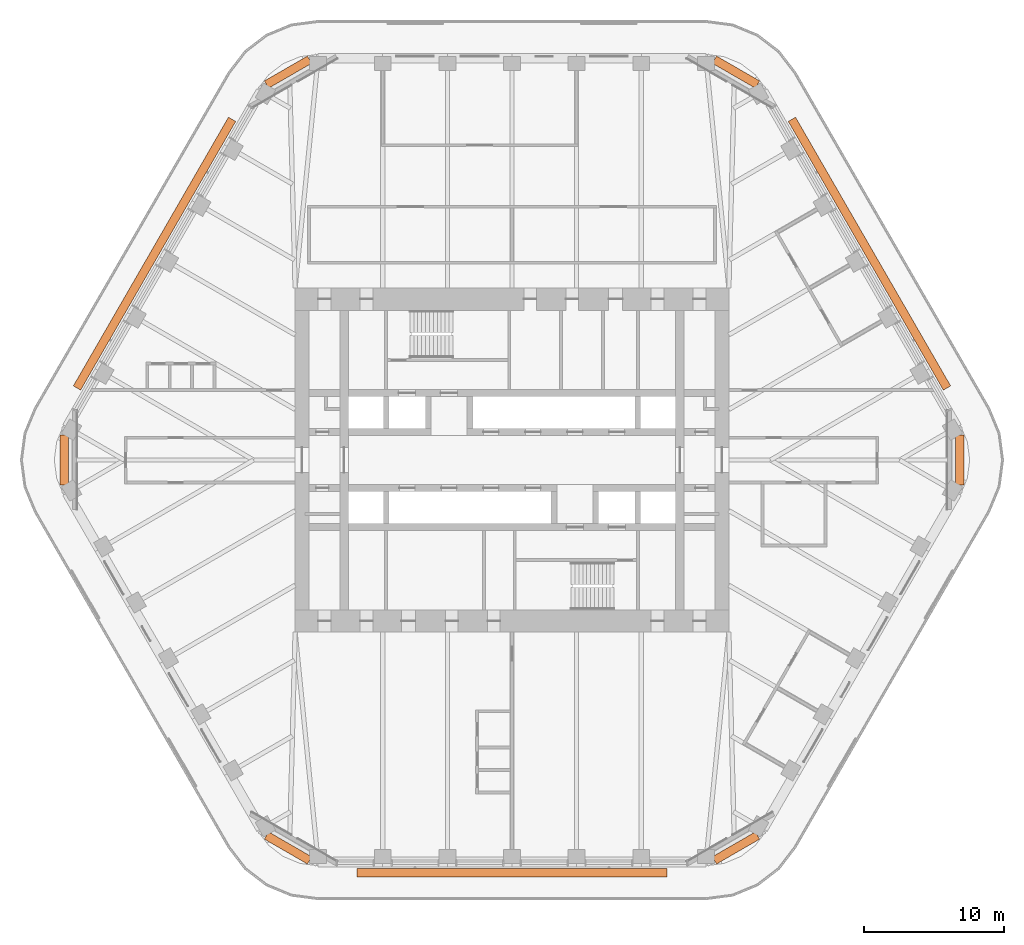
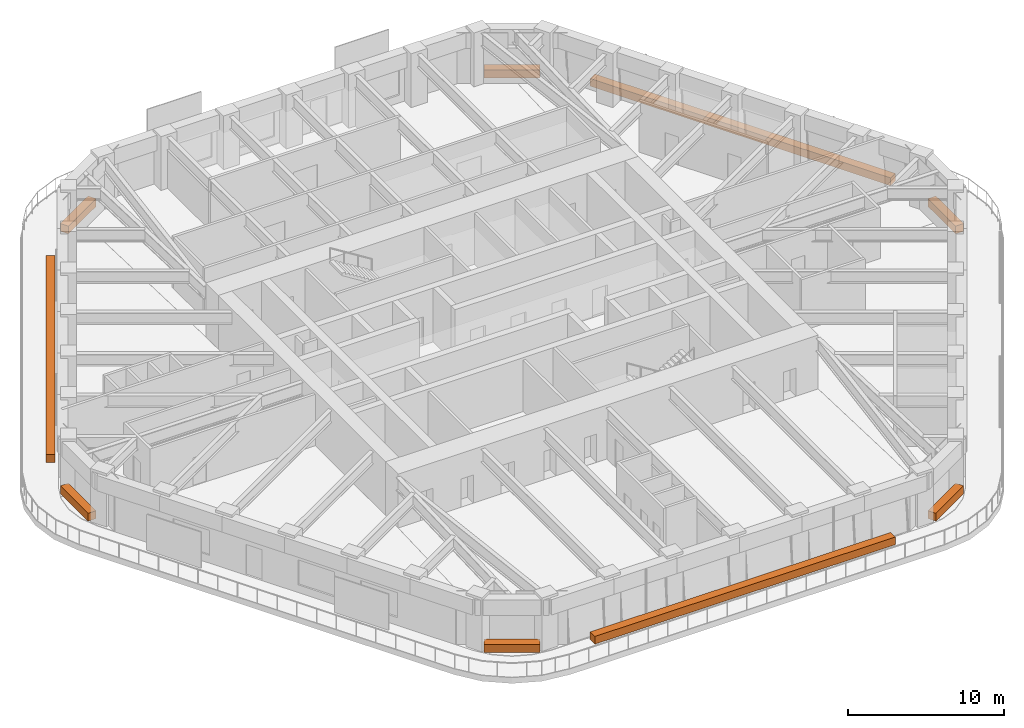
# One storey, part 20 of 20: 9 proxies.
"""IFC4 building model written with IfcOpenShell, lengths in metres."""

from ifc_helpers import new_model, si_unit, direction, frame, origin, origin_2d, place, context, subcontext, project, spatial, rectangle, extrude, material, element, save


model = new_model("IFC4")

# Units and contexts
model_context = context("Model", 3, precision=1e-05, world=origin(), true_north=direction((0.0, 1.0)))
body_context = subcontext(model_context, "Body", "Model", "MODEL_VIEW")
ifc_project = project(units=[si_unit("LENGTHUNIT", "METRE"), si_unit("AREAUNIT", "SQUARE_METRE"), si_unit("VOLUMEUNIT", "CUBIC_METRE"), si_unit("PLANEANGLEUNIT", "RADIAN"), si_unit("MASSUNIT", "GRAM", prefix="KILO")], contexts=[model_context])

# Site, building, storey
site_placement = place(None, origin())
site = spatial("IfcSite", under=ifc_project, at=site_placement, CompositionType="ELEMENT")
building_placement = place(site_placement, origin())
building = spatial("IfcBuilding", under=site, at=building_placement, Name="Tarfa Lantern Tower", CompositionType="ELEMENT")
storey_placement = place(building_placement, frame((0.0, 0.0, 270.10009765625)))
storey = spatial("IfcBuildingStorey", under=building, at=storey_placement, Name="L61", CompositionType="ELEMENT", Elevation=270.10009765625)

# Proxies
ifc_material = material(Name="Planting bed")
for number, where, z_axis, x_axis, name in (
    (1, (16.006591796875, 27.72412109375, 0.039794921875), (0.0, 0.0, 1.0), (-0.866025403784, 0.5, 0.0), "Sky garden planter"),
    (2, (-16.006591796875, 27.72412109375, 0.039794921875), (0.0, 0.0, 1.0), (-0.866025403784, -0.5, 0.0), "Sky garden planter"),
    (3, (-32.012939453125, 0.0, 0.039794921875), (0.0, 0.0, 1.0), (0.0, -1.0, 0.0), "Sky garden planter"),
    (4, (-16.006591796875, -27.72412109375, 0.039794921875), (0.0, 0.0, 1.0), (0.866025403784, -0.5, 0.0), "Sky garden planter"),
    (5, (16.006591796875, -27.72412109375, 0.039794921875), (0.0, 0.0, 1.0), (0.866025403784, 0.5, 0.0), "Sky garden planter"),
    (6, (32.012939453125, 0.0, 0.039794921875), (0.0, 0.0, 1.0), (0.0, 1.0, 0.0), "Sky garden planter"),
):
    element("IfcBuildingElementProxy", number, at=place(storey_placement, frame(where, z_axis=z_axis, x_axis=x_axis)), inside=storey, material=ifc_material, Name=name, ObjectType="PLANTER", PredefinedType="USERDEFINED", context=body_context, shape_type="SweptSolid", body=[
        extrude(rectangle(XDim=3.551025390625, YDim=0.60009765625, at=origin_2d()), origin(), (0.0, 0.0, 1.0), 0.60009765625),
    ])
for number, where, z_axis, x_axis, name in (
    (7, (25.5478515625, 14.75, -0.000244140625), (0.0, 0.0, 1.0), (-0.5, 0.866025403784, 0.0), "Balcony planter"),
    (8, (-25.5478515625, 14.75, -0.000244140625), (0.0, 0.0, 1.0), (-0.5, -0.866025403784, 0.0), "Balcony planter"),
    (9, (0.0, -29.5, -0.000244140625), (0.0, 0.0, 1.0), (1.0, 0.0, 0.0), "Balcony planter"),
):
    element("IfcBuildingElementProxy", number, at=place(storey_placement, frame(where, z_axis=z_axis, x_axis=x_axis)), inside=storey, material=ifc_material, Name=name, ObjectType="PLANTER", PredefinedType="USERDEFINED", context=body_context, shape_type="SweptSolid", body=[
        extrude(rectangle(XDim=22.170166015625, YDim=0.60009765625, at=origin_2d()), origin(), (0.0, 0.0, 1.0), 0.60009765625),
    ])

save(model, "model.ifc")
